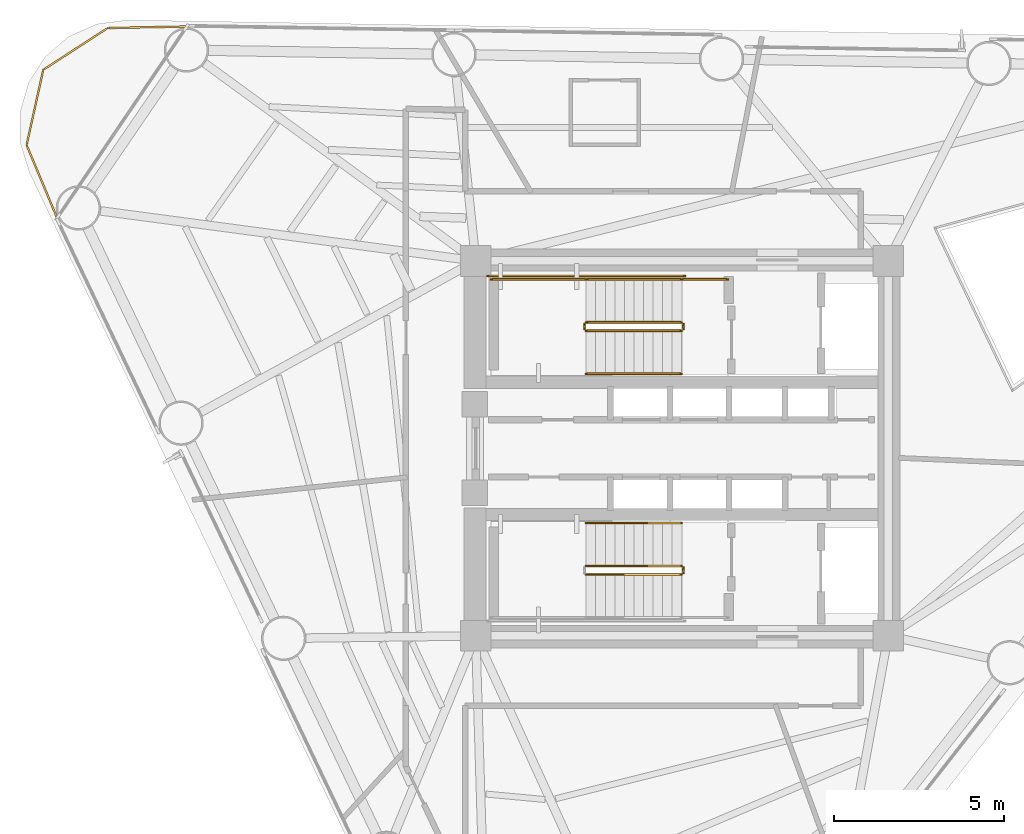
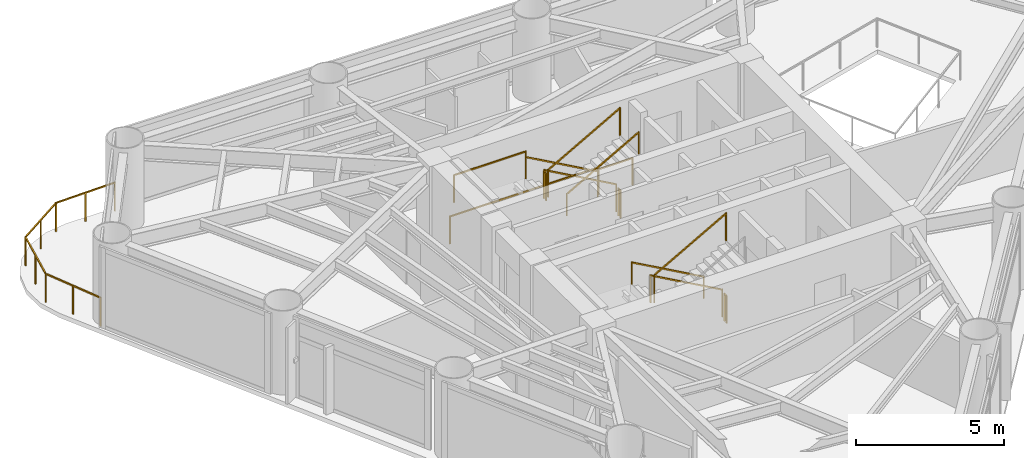
# One storey, part 9 of 10: 14 railings.
"""IFC4 building model written with IfcOpenShell, lengths in metres."""

from ifc_helpers import new_model, si_unit, direction, frame, origin, origin_2d, place, context, subcontext, project, spatial, rectangle, extrude, material, type_object, element, save


model = new_model("IFC4")

# Units and contexts
model_context = context("Model", 3, precision=1e-05, world=origin(), true_north=direction((0.0, 1.0)))
body_context = subcontext(model_context, "Body", "Model", "MODEL_VIEW")
ifc_project = project(units=[si_unit("LENGTHUNIT", "METRE"), si_unit("AREAUNIT", "SQUARE_METRE"), si_unit("VOLUMEUNIT", "CUBIC_METRE"), si_unit("PLANEANGLEUNIT", "RADIAN"), si_unit("MASSUNIT", "GRAM", prefix="KILO")], contexts=[model_context])

# Site, building, storey
site_placement = place(None, origin())
site = spatial("IfcSite", under=ifc_project, at=site_placement, CompositionType="ELEMENT")
building_placement = place(site_placement, origin())
building = spatial("IfcBuilding", under=site, at=building_placement, Name="Yunling Apex Tower", CompositionType="ELEMENT")
storey_placement = place(building_placement, frame((0.0, 0.0, 132.949951171875)))
storey = spatial("IfcBuildingStorey", under=building, at=storey_placement, Name="L32", CompositionType="ELEMENT", Elevation=132.949951171875)

# Railings
ifc_material_1 = material(Name="Bronze anodised aluminium", Category="aluminium")
railing_type_1 = type_object("IfcRailingType", Name="RL-BAL-1200", PredefinedType="BALUSTRADE", material=ifc_material_1)
railing_1_placement = place(storey_placement, frame((-18.331298828125, 6.7578125, 0.0)))
element("IfcRailing", 1, at=railing_1_placement, inside=storey, type_object=railing_type_1, Name="RL-CRNSILL-L32-2", PredefinedType="BALUSTRADE", context=body_context, shape_type="SweptSolid", body=[
    extrude(rectangle(XDim=0.0439453125, YDim=0.0439453125, at=origin_2d()), origin(), (0.0, 0.0, 1.0), 1.199951171875),
    extrude(rectangle(XDim=0.0439453125, YDim=0.0439453125, at=origin_2d()), frame((-0.896240234375, 2.142578125, 0.0)), (0.0, 0.0, 1.0), 1.199951171875),
    extrude(rectangle(XDim=0.050048828125, YDim=0.050048828125, at=origin_2d()), frame((-0.014892578125, 0.035400390625, 1.1748046875), z_axis=(-0.385898856138, 0.92254109547, 0.0), x_axis=(-0.92254109547, -0.385898856138, 0.0)), (0.0, 0.0, 1.0), 2.245849609375),
    extrude(rectangle(XDim=0.0439453125, YDim=0.0439453125, at=origin_2d()), frame((-0.4482421875, 1.0712890625, 0.0)), (0.0, 0.0, 1.0), 1.14599609375),
    extrude(rectangle(XDim=0.0439453125, YDim=0.0439453125, at=origin_2d()), frame((-0.407958984375, 4.349609375, 0.0)), (0.0, 0.0, 1.0), 1.199951171875),
    extrude(rectangle(XDim=0.050048828125, YDim=0.050048828125, at=origin_2d()), frame((-0.887939453125, 2.179931640625, 1.1748046875), z_axis=(0.216015473483, 0.976389940145, 0.0), x_axis=(-0.976389940145, 0.216015473483, 0.0)), (0.0, 0.0, 1.0), 2.183837890625),
    extrude(rectangle(XDim=0.0439453125, YDim=0.0439453125, at=origin_2d()), frame((-0.652099609375, 3.24609375, 0.0)), (0.0, 0.0, 1.0), 1.14599609375),
    extrude(rectangle(XDim=0.0439453125, YDim=0.0439453125, at=origin_2d()), frame((1.482666015625, 5.574951171875, 0.0)), (0.0, 0.0, 1.0), 1.199951171875),
    extrude(rectangle(XDim=0.050048828125, YDim=0.050048828125, at=origin_2d()), frame((-0.375732421875, 4.370361328125, 1.1748046875), z_axis=(0.83916580884, 0.543875670786, 0.0), x_axis=(-0.543875670786, 0.83916580884, 0.0)), (0.0, 0.0, 1.0), 2.17626953125),
    extrude(rectangle(XDim=0.0439453125, YDim=0.0439453125, at=origin_2d()), frame((0.537353515625, 4.96240234375, 0.0)), (0.0, 0.0, 1.0), 1.14599609375),
    extrude(rectangle(XDim=0.0439453125, YDim=0.0439453125, at=origin_2d()), frame((3.805419921875, 5.6220703125, 0.0)), (0.0, 0.0, 1.0), 1.199951171875),
    extrude(rectangle(XDim=0.050048828125, YDim=0.050048828125, at=origin_2d()), frame((1.52099609375, 5.57568359375, 1.1748046875), z_axis=(0.999794304726, 0.020281721759, 0.0), x_axis=(-0.020281721759, 0.999794304726, 0.0)), (0.0, 0.0, 1.0), 2.24658203125),
    extrude(rectangle(XDim=0.0439453125, YDim=0.0439453125, at=origin_2d()), frame((2.64404296875, 5.5986328125, 0.0)), (0.0, 0.0, 1.0), 1.14599609375),
])
ifc_material_2 = material(Name="Steel Q355B", Category="steel")
railing_type_2 = type_object("IfcRailingType", Name="RL-GRD-1150", PredefinedType="GUARDRAIL", material=ifc_material_2)
railing_2_placement = place(storey_placement, frame((-0.010009765625, 3.699951171875, 0.156982421875)))
element("IfcRailing", 2, at=railing_2_placement, inside=storey, type_object=railing_type_2, Name="L32 ST-1 stair guard 1", PredefinedType="GUARDRAIL", context=body_context, shape_type="SweptSolid", body=[
    extrude(rectangle(XDim=0.0439453125, YDim=0.0439453125, at=origin_2d()), origin(), (0.0, 0.0, 1.0), 1.14990234375),
    extrude(rectangle(XDim=0.0439453125, YDim=0.0439453125, at=origin_2d()), frame((-2.800048828125, 0.0, 1.568115234375)), (0.0, 0.0, 1.0), 1.14990234375),
    extrude(rectangle(XDim=0.050048828125, YDim=0.050048828125, at=origin_2d()), frame((-0.033447265625, 0.0, 1.1435546875), z_axis=(-0.872494340497, 0.0, 0.48862421737), x_axis=(0.0, -1.0, 0.0)), (0.0, 0.0, 1.0), 3.132568359375),
])
railing_3_placement = place(storey_placement, frame((-2.860107421875, 3.64990234375, 1.72509765625)))
element("IfcRailing", 3, at=railing_3_placement, inside=storey, type_object=railing_type_2, Name="L32 ST-1 stair guard 2", PredefinedType="GUARDRAIL", context=body_context, shape_type="SweptSolid", body=[
    extrude(rectangle(XDim=0.0439453125, YDim=0.0439453125, at=origin_2d()), origin(), (0.0, 0.0, 1.0), 1.14990234375),
    extrude(rectangle(XDim=0.0439453125, YDim=0.0439453125, at=origin_2d()), frame((0.0, -0.14990234375, 0.0)), (0.0, 0.0, 1.0), 1.14990234375),
    extrude(rectangle(XDim=0.050048828125, YDim=0.050048828125, at=origin_2d()), frame((0.0, -0.038330078125, 1.125), z_axis=(0.0, -1.0, 0.0), x_axis=(1.0, 0.0, 0.0)), (0.0, 0.0, 1.0), 0.0732421875),
])
railing_4_placement = place(storey_placement, frame((-2.81005859375, 4.9599609375, 1.72509765625)))
element("IfcRailing", 4, at=railing_4_placement, inside=storey, type_object=railing_type_2, Name="L32 ST-1 stair guard 3", PredefinedType="GUARDRAIL", context=body_context, shape_type="SweptSolid", body=[
    extrude(rectangle(XDim=0.0439453125, YDim=0.0439453125, at=origin_2d()), origin(), (0.0, 0.0, 1.0), 1.14990234375),
    extrude(rectangle(XDim=0.0439453125, YDim=0.0439453125, at=origin_2d()), frame((-2.7900390625, 0.0, 0.0)), (0.0, 0.0, 1.0), 1.14990234375),
    extrude(rectangle(XDim=0.050048828125, YDim=0.050048828125, at=origin_2d()), frame((-0.038330078125, 0.0, 1.125), z_axis=(-1.0, 0.0, 0.0), x_axis=(0.0, -1.0, 0.0)), (0.0, 0.0, 1.0), 2.71337890625),
])
railing_5_placement = place(storey_placement, frame((-2.81005859375, 3.449951171875, 1.8818359375)))
element("IfcRailing", 5, at=railing_5_placement, inside=storey, type_object=railing_type_2, Name="L32 ST-1 stair guard 4", PredefinedType="GUARDRAIL", context=body_context, shape_type="SweptSolid", body=[
    extrude(rectangle(XDim=0.0439453125, YDim=0.0439453125, at=origin_2d()), origin(), (0.0, 0.0, 1.0), 1.14990234375),
    extrude(rectangle(XDim=0.0439453125, YDim=0.0439453125, at=origin_2d()), frame((2.800048828125, 0.0, 1.568115234375)), (0.0, 0.0, 1.0), 1.14990234375),
    extrude(rectangle(XDim=0.050048828125, YDim=0.050048828125, at=origin_2d()), frame((0.033447265625, 0.0, 1.1435546875), z_axis=(0.872494340497, 0.0, 0.48862421737), x_axis=(0.0, 1.0, 0.0)), (0.0, 0.0, 1.0), 3.132568359375),
])
railing_6_placement = place(storey_placement, frame((0.0400390625, 3.64990234375, 0.0)))
element("IfcRailing", 6, at=railing_6_placement, inside=storey, type_object=railing_type_2, Name="L32 ST-1 stair guard 5", PredefinedType="GUARDRAIL", context=body_context, shape_type="SweptSolid", body=[
    extrude(rectangle(XDim=0.0439453125, YDim=0.0439453125, at=origin_2d()), origin(), (0.0, 0.0, 1.0), 1.14990234375),
    extrude(rectangle(XDim=0.0439453125, YDim=0.0439453125, at=origin_2d()), frame((0.0, -0.14990234375, 0.0)), (0.0, 0.0, 1.0), 1.14990234375),
    extrude(rectangle(XDim=0.050048828125, YDim=0.050048828125, at=origin_2d()), frame((0.0, -0.038330078125, 1.125), z_axis=(0.0, -1.0, 0.0), x_axis=(1.0, 0.0, 0.0)), (0.0, 0.0, 1.0), 0.0732421875),
])
railing_7_placement = place(storey_placement, frame((1.35009765625, 4.9599609375, 0.0)))
element("IfcRailing", 7, at=railing_7_placement, inside=storey, type_object=railing_type_2, Name="L32 ST-1 stair guard 6", PredefinedType="GUARDRAIL", context=body_context, shape_type="SweptSolid", body=[
    extrude(rectangle(XDim=0.0439453125, YDim=0.0439453125, at=origin_2d()), origin(), (0.0, 0.0, 1.0), 1.14990234375),
    extrude(rectangle(XDim=0.0439453125, YDim=0.0439453125, at=origin_2d()), frame((-1.360107421875, 0.0, 0.0)), (0.0, 0.0, 1.0), 1.14990234375),
    extrude(rectangle(XDim=0.050048828125, YDim=0.050048828125, at=origin_2d()), frame((-0.038330078125, 0.0, 1.125), z_axis=(-1.0, 0.0, 0.0), x_axis=(0.0, -1.0, 0.0)), (0.0, 0.0, 1.0), 1.283447265625),
])
railing_8_placement = place(storey_placement, frame((0.090087890625, 5.06005859375, 0.0)))
element("IfcRailing", 8, at=railing_8_placement, inside=storey, type_object=railing_type_2, Name="L32 ST-1 stair guard 7", PredefinedType="GUARDRAIL", context=body_context, shape_type="SweptSolid", body=[
    extrude(rectangle(XDim=0.0439453125, YDim=0.0439453125, at=origin_2d()), origin(), (0.0, 0.0, 1.0), 1.14990234375),
    extrude(rectangle(XDim=0.0439453125, YDim=0.0439453125, at=origin_2d()), frame((-5.7900390625, 0.0, 0.0)), (0.0, 0.0, 1.0), 1.14990234375),
    extrude(rectangle(XDim=0.050048828125, YDim=0.050048828125, at=origin_2d()), frame((-0.038330078125, 0.0, 1.125), z_axis=(-1.0, 0.0, 0.0), x_axis=(0.0, -1.0, 0.0)), (0.0, 0.0, 1.0), 5.71337890625),
])
railing_9_placement = place(storey_placement, frame((-0.010009765625, -3.449951171875, 0.156982421875)))
element("IfcRailing", 9, at=railing_9_placement, inside=storey, type_object=railing_type_2, Name="L32 ST-2 stair guard 1", PredefinedType="GUARDRAIL", context=body_context, shape_type="SweptSolid", body=[
    extrude(rectangle(XDim=0.0439453125, YDim=0.0439453125, at=origin_2d()), origin(), (0.0, 0.0, 1.0), 1.14990234375),
    extrude(rectangle(XDim=0.0439453125, YDim=0.0439453125, at=origin_2d()), frame((-2.800048828125, 0.0, 1.568115234375)), (0.0, 0.0, 1.0), 1.14990234375),
    extrude(rectangle(XDim=0.050048828125, YDim=0.050048828125, at=origin_2d()), frame((-0.033447265625, 0.0, 1.1435546875), z_axis=(-0.872494340497, 0.0, 0.48862421737), x_axis=(0.0, -1.0, 0.0)), (0.0, 0.0, 1.0), 3.132568359375),
])
railing_10_placement = place(storey_placement, frame((-2.81005859375, -3.699951171875, 1.8818359375)))
element("IfcRailing", 10, at=railing_10_placement, inside=storey, type_object=railing_type_2, Name="L32 ST-2 stair guard 4", PredefinedType="GUARDRAIL", context=body_context, shape_type="SweptSolid", body=[
    extrude(rectangle(XDim=0.0439453125, YDim=0.0439453125, at=origin_2d()), origin(), (0.0, 0.0, 1.0), 1.14990234375),
    extrude(rectangle(XDim=0.0439453125, YDim=0.0439453125, at=origin_2d()), frame((2.800048828125, 0.0, 1.568115234375)), (0.0, 0.0, 1.0), 1.14990234375),
    extrude(rectangle(XDim=0.050048828125, YDim=0.050048828125, at=origin_2d()), frame((0.033447265625, 0.0, 1.1435546875), z_axis=(0.872494340497, 0.0, 0.48862421737), x_axis=(0.0, 1.0, 0.0)), (0.0, 0.0, 1.0), 3.132568359375),
])
railing_11_placement = place(storey_placement, frame((0.0400390625, -3.5, 0.0)))
element("IfcRailing", 11, at=railing_11_placement, inside=storey, type_object=railing_type_2, Name="L32 ST-2 stair guard 5", PredefinedType="GUARDRAIL", context=body_context, shape_type="SweptSolid", body=[
    extrude(rectangle(XDim=0.0439453125, YDim=0.0439453125, at=origin_2d()), origin(), (0.0, 0.0, 1.0), 1.14990234375),
    extrude(rectangle(XDim=0.0439453125, YDim=0.0439453125, at=origin_2d()), frame((0.0, -0.14990234375, 0.0)), (0.0, 0.0, 1.0), 1.14990234375),
    extrude(rectangle(XDim=0.050048828125, YDim=0.050048828125, at=origin_2d()), frame((0.0, -0.038330078125, 1.125), z_axis=(0.0, -1.0, 0.0), x_axis=(1.0, 0.0, 0.0)), (0.0, 0.0, 1.0), 0.0732421875),
])
ifc_material_3 = material(Name="Silver anodised aluminium", Category="aluminium")
railing_type_3 = type_object("IfcRailingType", Name="RL-HND-900", PredefinedType="HANDRAIL", material=ifc_material_3)
railing_12_placement = place(storey_placement, frame((-0.010009765625, 4.9599609375, 0.156982421875)))
element("IfcRailing", 12, at=railing_12_placement, inside=storey, type_object=railing_type_3, Name="L32 ST-1 stair handrail 1", PredefinedType="HANDRAIL", context=body_context, shape_type="SweptSolid", body=[
    extrude(rectangle(XDim=0.0439453125, YDim=0.0439453125, at=origin_2d()), origin(), (0.0, 0.0, 1.0), 0.919921875),
    extrude(rectangle(XDim=0.0439453125, YDim=0.0439453125, at=origin_2d()), frame((-2.800048828125, 0.0, 1.568115234375)), (0.0, 0.0, 1.0), 0.919921875),
    extrude(rectangle(XDim=0.050048828125, YDim=0.050048828125, at=origin_2d()), frame((-0.033447265625, 0.0, 0.91357421875), z_axis=(-0.872494340497, 0.0, 0.48862421737), x_axis=(0.0, -1.0, 0.0)), (0.0, 0.0, 1.0), 3.132568359375),
])
railing_13_placement = place(storey_placement, frame((-2.81005859375, 2.18994140625, 1.8818359375)))
element("IfcRailing", 13, at=railing_13_placement, inside=storey, type_object=railing_type_3, Name="L32 ST-1 stair handrail 2", PredefinedType="HANDRAIL", context=body_context, shape_type="SweptSolid", body=[
    extrude(rectangle(XDim=0.0439453125, YDim=0.0439453125, at=origin_2d()), origin(), (0.0, 0.0, 1.0), 0.919921875),
    extrude(rectangle(XDim=0.0439453125, YDim=0.0439453125, at=origin_2d()), frame((2.800048828125, 0.0, 1.568115234375)), (0.0, 0.0, 1.0), 0.919921875),
    extrude(rectangle(XDim=0.050048828125, YDim=0.050048828125, at=origin_2d()), frame((0.033447265625, 0.0, 0.91357421875), z_axis=(0.872494340497, 0.0, 0.48862421737), x_axis=(0.0, 1.0, 0.0)), (0.0, 0.0, 1.0), 3.132568359375),
])
railing_14_placement = place(storey_placement, frame((-0.010009765625, -2.18994140625, 0.156982421875)))
element("IfcRailing", 14, at=railing_14_placement, inside=storey, type_object=railing_type_3, Name="L32 ST-2 stair handrail 1", PredefinedType="HANDRAIL", context=body_context, shape_type="SweptSolid", body=[
    extrude(rectangle(XDim=0.0439453125, YDim=0.0439453125, at=origin_2d()), origin(), (0.0, 0.0, 1.0), 0.919921875),
    extrude(rectangle(XDim=0.0439453125, YDim=0.0439453125, at=origin_2d()), frame((-2.800048828125, 0.0, 1.568115234375)), (0.0, 0.0, 1.0), 0.919921875),
    extrude(rectangle(XDim=0.050048828125, YDim=0.050048828125, at=origin_2d()), frame((-0.033447265625, 0.0, 0.91357421875), z_axis=(-0.872494340497, 0.0, 0.48862421737), x_axis=(0.0, -1.0, 0.0)), (0.0, 0.0, 1.0), 3.132568359375),
])

save(model, "model.ifc")
